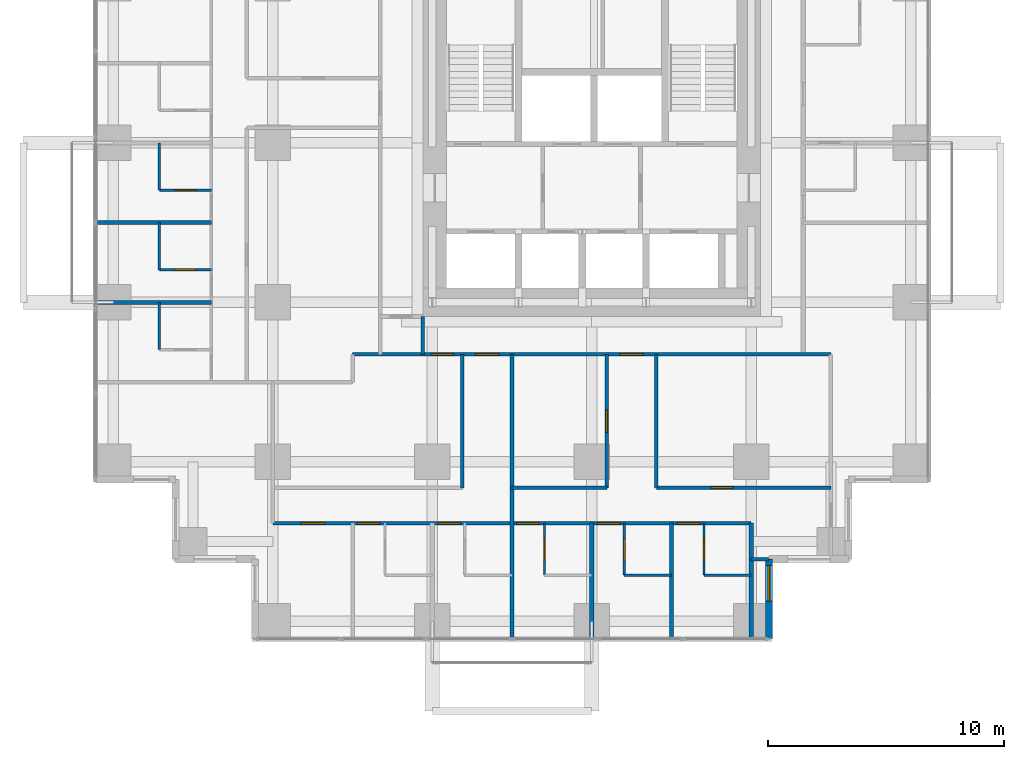
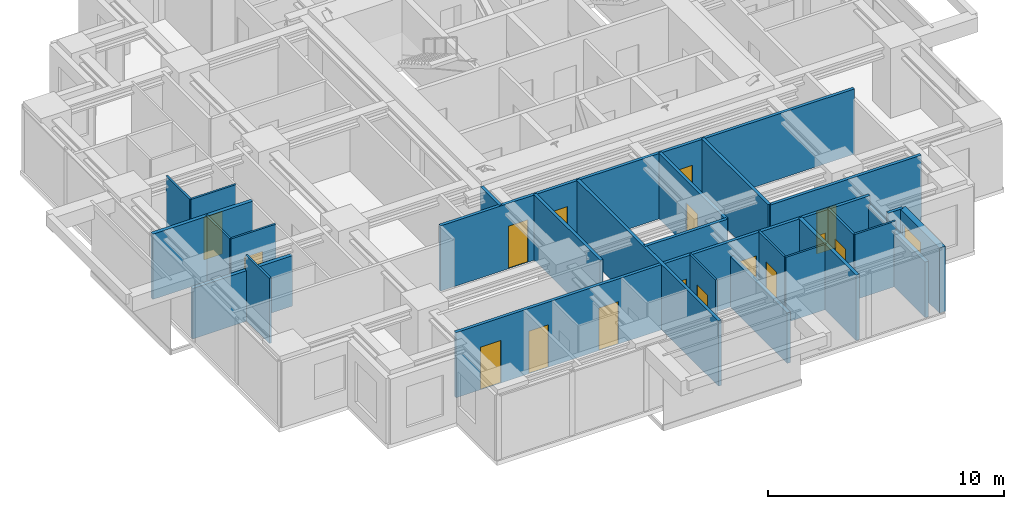
# One storey, part 6 of 11: 26 walls, 16 doors, 1 window, 17 openings.
"""IFC4 building model written with IfcOpenShell, lengths in metres."""

from ifc_helpers import new_model, si_unit, direction, frame, frame_2d, origin, place, context, subcontext, project, spatial, rectangle, extrude, material, layer, layer_set, type_object, element, fill, save


model = new_model("IFC4")

# Units and contexts
model_context = context("Model", 3, precision=1e-05, world=origin(), true_north=direction((0.0, 1.0)))
body_context = subcontext(model_context, "Body", "Model", "MODEL_VIEW")
ifc_project = project(units=[si_unit("LENGTHUNIT", "METRE"), si_unit("AREAUNIT", "SQUARE_METRE"), si_unit("VOLUMEUNIT", "CUBIC_METRE"), si_unit("PLANEANGLEUNIT", "RADIAN"), si_unit("MASSUNIT", "GRAM", prefix="KILO")], contexts=[model_context])

# Site, building, storey
site_placement = place(None, origin())
site = spatial("IfcSite", under=ifc_project, at=site_placement, CompositionType="ELEMENT")
building_placement = place(site_placement, origin())
building = spatial("IfcBuilding", under=site, at=building_placement, Name="Nyansa Garden Tower", CompositionType="ELEMENT")
storey_placement = place(building_placement, frame((0.0, 0.0, 160.199951171875)))
storey = spatial("IfcBuildingStorey", under=building, at=storey_placement, Name="L43", CompositionType="ELEMENT", Elevation=160.199951171875)

# Walls
ifc_material_1 = material(Name="Dense blockwork, plastered both sides, 55 dB", Category="masonry")
ifc_layer_1 = layer(ifc_material_1, 0.175048828125)
ifc_layer_set_1 = layer_set([ifc_layer_1], Name="Acoustic party wall PW175")
wall_type_1 = type_object("IfcWallType", Name="Acoustic party wall PW175", PredefinedType="PARTITIONING", material=ifc_layer_set_1)
wall_1_placement = place(storey_placement, frame((-0.73388671875, 13.5, 0.0), z_axis=(0.0, 0.0, 1.0), x_axis=(1.0, 0.0, 0.0)))
element("IfcWall", 1, at=wall_1_placement, inside=storey, type_object=wall_type_1, Name="Party wall", PredefinedType="PARTITIONING", context=body_context, shape_type="SweptSolid", body=[
    extrude(rectangle(XDim=4.8837890625, YDim=0.175048828125, at=frame_2d((2.44189453125, 0.0))), origin(), (0.0, 0.0, 1.0), 2.610107421875),
])
wall_2_placement = place(storey_placement, frame((-0.73388671875, 16.875, 0.0), z_axis=(0.0, 0.0, 1.0), x_axis=(1.0, 0.0, 0.0)))
element("IfcWall", 2, at=wall_2_placement, inside=storey, type_object=wall_type_1, Name="Party wall", PredefinedType="PARTITIONING", context=body_context, shape_type="SweptSolid", body=[
    extrude(rectangle(XDim=4.8837890625, YDim=0.175048828125, at=frame_2d((2.44189453125, 0.0))), origin(), (0.0, 0.0, 1.0), 3.375),
])
wall_3_placement = place(storey_placement, frame((20.25, -0.73388671875, 0.0), z_axis=(0.0, 0.0, 1.0), x_axis=(0.0, 1.0, 0.0)))
element("IfcWall", 3, at=wall_3_placement, inside=storey, type_object=wall_type_1, Name="Party wall", PredefinedType="PARTITIONING", context=body_context, shape_type="SweptSolid", body=[
    extrude(rectangle(XDim=4.8837890625, YDim=0.175048828125, at=frame_2d((2.44189453125, 0.0))), origin(), (0.0, 0.0, 1.0), 2.610107421875),
])
wall_4_placement = place(storey_placement, frame((23.625, -0.73388671875, 0.0), z_axis=(0.0, 0.0, 1.0), x_axis=(0.0, 1.0, 0.0)))
element("IfcWall", 4, at=wall_4_placement, inside=storey, type_object=wall_type_1, Name="Party wall", PredefinedType="PARTITIONING", context=body_context, shape_type="SweptSolid", body=[
    extrude(rectangle(XDim=4.8837890625, YDim=0.175048828125, at=frame_2d((2.44189453125, 0.0))), origin(), (0.0, 0.0, 1.0), 3.375),
])
wall_5_placement = place(storey_placement, frame((27.0, -0.73388671875, 0.0), z_axis=(0.0, 0.0, 1.0), x_axis=(0.0, 1.0, 0.0)))
element("IfcWall", 5, at=wall_5_placement, inside=storey, type_object=wall_type_1, Name="Party wall", PredefinedType="PARTITIONING", context=body_context, shape_type="SweptSolid", body=[
    extrude(rectangle(XDim=4.8837890625, YDim=0.175048828125, at=frame_2d((2.44189453125, 0.0))), origin(), (0.0, 0.0, 1.0), 2.876953125),
])

# Wall, openings, doors
ifc_material_2 = material(Name="Blockwork, plastered both sides", Category="masonry")
ifc_layer_2 = layer(ifc_material_2, 0.14990234375)
ifc_layer_set_2 = layer_set([ifc_layer_2], Name="Partition PW150")
wall_type_2 = type_object("IfcWallType", Name="Partition PW150", PredefinedType="PARTITIONING", material=ifc_layer_set_2)
wall_6_placement = place(storey_placement, frame((6.75, 4.14990234375, 0.0), z_axis=(0.0, 0.0, 1.0), x_axis=(1.0, 0.0, 0.0)))
wall_6 = element("IfcWall", 6, at=wall_6_placement, inside=storey, type_object=wall_type_2, Name="Partition", PredefinedType="PARTITIONING", context=body_context, shape_type="SweptSolid", body=[
    extrude(rectangle(XDim=20.25, YDim=0.14990234375, at=frame_2d((10.125, 0.0))), origin(), (0.0, 0.0, 1.0), 3.375),
])
opening_1_placement = place(wall_6_placement, frame((1.199951171875, 0.0, 0.0)))
opening_1 = element("IfcOpeningElement", 7, at=opening_1_placement, cuts=wall_6, Name="Opening D03", PredefinedType="OPENING", context=body_context, shape_type="SweptSolid", body=[
    extrude(rectangle(XDim=1.0, YDim=2.199951171875, at=frame_2d((0.5, 1.10009765625))), frame((0.0, 0.0849609375, 0.0), z_axis=(0.0, -1.0, 0.0), x_axis=(1.0, 0.0, 0.0)), (0.0, 0.0, 1.0), 0.169921875),
])
opening_2_placement = place(wall_6_placement, frame((3.574951171875, 0.0, 0.0)))
opening_2 = element("IfcOpeningElement", 8, at=opening_2_placement, cuts=wall_6, Name="Opening D01", PredefinedType="OPENING", context=body_context, shape_type="SweptSolid", body=[
    extrude(rectangle(XDim=0.949951171875, YDim=2.199951171875, at=frame_2d((0.47509765625, 1.10009765625))), frame((0.0, 0.0849609375, 0.0), z_axis=(0.0, -1.0, 0.0), x_axis=(1.0, 0.0, 0.0)), (0.0, 0.0, 1.0), 0.169921875),
])
opening_3_placement = place(wall_6_placement, frame((7.0, 0.0, 0.0)))
opening_3 = element("IfcOpeningElement", 9, at=opening_3_placement, cuts=wall_6, Name="Opening D01", PredefinedType="OPENING", context=body_context, shape_type="SweptSolid", body=[
    extrude(rectangle(XDim=0.949951171875, YDim=2.199951171875, at=frame_2d((0.47509765625, 1.10009765625))), frame((0.0, 0.0849609375, 0.0), z_axis=(0.0, -1.0, 0.0), x_axis=(1.0, 0.0, 0.0)), (0.0, 0.0, 1.0), 0.169921875),
])
opening_4_placement = place(wall_6_placement, frame((10.324951171875, 0.0, 0.0)))
opening_4 = element("IfcOpeningElement", 10, at=opening_4_placement, cuts=wall_6, Name="Opening D14", PredefinedType="OPENING", context=body_context, shape_type="SweptSolid", body=[
    extrude(rectangle(XDim=0.949951171875, YDim=2.199951171875, at=frame_2d((0.47509765625, 1.10009765625))), frame((0.0, 0.0849609375, 0.0), z_axis=(0.0, -1.0, 0.0), x_axis=(1.0, 0.0, 0.0)), (0.0, 0.0, 1.0), 0.169921875),
])
opening_5_placement = place(wall_6_placement, frame((13.75, 0.0, 0.0)))
opening_5 = element("IfcOpeningElement", 11, at=opening_5_placement, cuts=wall_6, Name="Opening D14", PredefinedType="OPENING", context=body_context, shape_type="SweptSolid", body=[
    extrude(rectangle(XDim=0.949951171875, YDim=2.199951171875, at=frame_2d((0.47509765625, 1.10009765625))), frame((0.0, 0.0849609375, 0.0), z_axis=(0.0, -1.0, 0.0), x_axis=(1.0, 0.0, 0.0)), (0.0, 0.0, 1.0), 0.169921875),
])
opening_6_placement = place(wall_6_placement, frame((17.125, 0.0, 0.0)))
opening_6 = element("IfcOpeningElement", 12, at=opening_6_placement, cuts=wall_6, Name="Opening D14", PredefinedType="OPENING", context=body_context, shape_type="SweptSolid", body=[
    extrude(rectangle(XDim=0.949951171875, YDim=2.199951171875, at=frame_2d((0.47509765625, 1.10009765625))), frame((0.0, 0.0849609375, 0.0), z_axis=(0.0, -1.0, 0.0), x_axis=(1.0, 0.0, 0.0)), (0.0, 0.0, 1.0), 0.169921875),
])
ifc_material_3 = material(Name="Timber flush door, 30 minute fire resisting", Category="wood")
door_type_1 = type_object("IfcDoorType", Name="Bedroom door D01 950x2200", OperationType="SINGLE_SWING_LEFT", PredefinedType="DOOR", material=ifc_material_3)
door_1_placement = place(opening_2_placement, origin())
door_1 = element("IfcDoor", 13, at=door_1_placement, inside=storey, type_object=door_type_1, Name="Door L43-018", OperationType="SINGLE_SWING_LEFT", OverallHeight=2.199951171875, OverallWidth=0.949951171875, PredefinedType="DOOR", context=body_context, shape_type="SweptSolid", body=[
    extrude(rectangle(XDim=0.949951171875, YDim=2.199951171875, at=frame_2d((0.47509765625, 1.10009765625))), frame((0.0, 0.02490234375, 0.0), z_axis=(0.0, -1.0, 0.0), x_axis=(1.0, 0.0, 0.0)), (0.0, 0.0, 1.0), 0.050048828125),
])
fill(opening_2, door_1)
door_2_placement = place(opening_3_placement, origin())
door_2 = element("IfcDoor", 14, at=door_2_placement, inside=storey, type_object=door_type_1, Name="Door L43-020", OperationType="SINGLE_SWING_LEFT", OverallHeight=2.199951171875, OverallWidth=0.949951171875, PredefinedType="DOOR", context=body_context, shape_type="SweptSolid", body=[
    extrude(rectangle(XDim=0.949951171875, YDim=2.199951171875, at=frame_2d((0.47509765625, 1.10009765625))), frame((0.0, 0.02490234375, 0.0), z_axis=(0.0, -1.0, 0.0), x_axis=(1.0, 0.0, 0.0)), (0.0, 0.0, 1.0), 0.050048828125),
])
fill(opening_3, door_2)
ifc_material_4 = material(Name="Timber flush door, 60 minute fire resisting", Category="wood")
door_type_2 = type_object("IfcDoorType", Name="Cluster entrance door D03 1000x2200", OperationType="SINGLE_SWING_LEFT", PredefinedType="DOOR", material=ifc_material_4)
door_3_placement = place(opening_1_placement, origin())
door_3 = element("IfcDoor", 15, at=door_3_placement, inside=storey, type_object=door_type_2, Name="Door L43-017", OperationType="SINGLE_SWING_LEFT", OverallHeight=2.199951171875, OverallWidth=1.0, PredefinedType="DOOR", context=body_context, shape_type="SweptSolid", body=[
    extrude(rectangle(XDim=1.0, YDim=2.199951171875, at=frame_2d((0.5, 1.10009765625))), frame((0.0, 0.02490234375, 0.0), z_axis=(0.0, -1.0, 0.0), x_axis=(1.0, 0.0, 0.0)), (0.0, 0.0, 1.0), 0.050048828125),
])
fill(opening_1, door_3)
ifc_material_5 = material(Name="Timber flush door, 60 minute fire resisting, self-closing", Category="wood")
door_type_3 = type_object("IfcDoorType", Name="Studio entrance door D14 950x2200", OperationType="SINGLE_SWING_LEFT", PredefinedType="DOOR", material=ifc_material_5)
door_4_placement = place(opening_4_placement, origin())
door_4 = element("IfcDoor", 16, at=door_4_placement, inside=storey, type_object=door_type_3, Name="Door L43-023", OperationType="SINGLE_SWING_LEFT", OverallHeight=2.199951171875, OverallWidth=0.949951171875, PredefinedType="DOOR", context=body_context, shape_type="SweptSolid", body=[
    extrude(rectangle(XDim=0.949951171875, YDim=2.199951171875, at=frame_2d((0.47509765625, 1.10009765625))), frame((0.0, 0.02490234375, 0.0), z_axis=(0.0, -1.0, 0.0), x_axis=(1.0, 0.0, 0.0)), (0.0, 0.0, 1.0), 0.050048828125),
])
fill(opening_4, door_4)
door_5_placement = place(opening_5_placement, origin())
door_5 = element("IfcDoor", 17, at=door_5_placement, inside=storey, type_object=door_type_3, Name="Door L43-025", OperationType="SINGLE_SWING_LEFT", OverallHeight=2.199951171875, OverallWidth=0.949951171875, PredefinedType="DOOR", context=body_context, shape_type="SweptSolid", body=[
    extrude(rectangle(XDim=0.949951171875, YDim=2.199951171875, at=frame_2d((0.47509765625, 1.10009765625))), frame((0.0, 0.02490234375, 0.0), z_axis=(0.0, -1.0, 0.0), x_axis=(1.0, 0.0, 0.0)), (0.0, 0.0, 1.0), 0.050048828125),
])
fill(opening_5, door_5)
door_6_placement = place(opening_6_placement, origin())
door_6 = element("IfcDoor", 18, at=door_6_placement, inside=storey, type_object=door_type_3, Name="Door L43-027", OperationType="SINGLE_SWING_LEFT", OverallHeight=2.199951171875, OverallWidth=0.949951171875, PredefinedType="DOOR", context=body_context, shape_type="SweptSolid", body=[
    extrude(rectangle(XDim=0.949951171875, YDim=2.199951171875, at=frame_2d((0.47509765625, 1.10009765625))), frame((0.0, 0.02490234375, 0.0), z_axis=(0.0, -1.0, 0.0), x_axis=(1.0, 0.0, 0.0)), (0.0, 0.0, 1.0), 0.050048828125),
])
fill(opening_6, door_6)

wall_7_placement = place(storey_placement, frame((10.125, 11.300048828125, 0.0), z_axis=(0.0, 0.0, 1.0), x_axis=(1.0, 0.0, 0.0)))
wall_7 = element("IfcWall", 19, at=wall_7_placement, inside=storey, type_object=wall_type_2, Name="Partition", PredefinedType="PARTITIONING", context=body_context, shape_type="SweptSolid", body=[
    extrude(rectangle(XDim=20.25, YDim=0.14990234375, at=frame_2d((10.125, 0.0))), origin(), (0.0, 0.0, 1.0), 3.375),
])
opening_7_placement = place(wall_7_placement, frame((5.199951171875, 0.0, 0.0)))
opening_7 = element("IfcOpeningElement", 20, at=opening_7_placement, cuts=wall_7, Name="Opening D03", PredefinedType="OPENING", context=body_context, shape_type="SweptSolid", body=[
    extrude(rectangle(XDim=1.0, YDim=2.199951171875, at=frame_2d((0.5, 1.10009765625))), frame((0.0, 0.0849609375, 0.0), z_axis=(0.0, -1.0, 0.0), x_axis=(1.0, 0.0, 0.0)), (0.0, 0.0, 1.0), 0.169921875),
])
opening_8_placement = place(wall_7_placement, frame((11.3125, 0.0, 0.0)))
opening_8 = element("IfcOpeningElement", 21, at=opening_8_placement, cuts=wall_7, Name="Opening D03", PredefinedType="OPENING", context=body_context, shape_type="SweptSolid", body=[
    extrude(rectangle(XDim=1.0, YDim=2.199951171875, at=frame_2d((0.5, 1.10009765625))), frame((0.0, 0.0849609375, 0.0), z_axis=(0.0, -1.0, 0.0), x_axis=(1.0, 0.0, 0.0)), (0.0, 0.0, 1.0), 0.169921875),
])
opening_9_placement = place(wall_7_placement, frame((3.324951171875, 0.0, 0.0)))
opening_9 = element("IfcOpeningElement", 22, at=opening_9_placement, cuts=wall_7, Name="Opening D01", PredefinedType="OPENING", context=body_context, shape_type="SweptSolid", body=[
    extrude(rectangle(XDim=0.949951171875, YDim=2.199951171875, at=frame_2d((0.47509765625, 1.10009765625))), frame((0.0, 0.0849609375, 0.0), z_axis=(0.0, -1.0, 0.0), x_axis=(1.0, 0.0, 0.0)), (0.0, 0.0, 1.0), 0.169921875),
])
door_7_placement = place(opening_9_placement, origin())
door_7 = element("IfcDoor", 23, at=door_7_placement, inside=storey, type_object=door_type_1, Name="Door L43-030", OperationType="SINGLE_SWING_LEFT", OverallHeight=2.199951171875, OverallWidth=0.949951171875, PredefinedType="DOOR", context=body_context, shape_type="SweptSolid", body=[
    extrude(rectangle(XDim=0.949951171875, YDim=2.199951171875, at=frame_2d((0.47509765625, 1.10009765625))), frame((0.0, 0.02490234375, 0.0), z_axis=(0.0, -1.0, 0.0), x_axis=(1.0, 0.0, 0.0)), (0.0, 0.0, 1.0), 0.050048828125),
])
fill(opening_9, door_7)
door_8_placement = place(opening_7_placement, origin())
door_8 = element("IfcDoor", 24, at=door_8_placement, inside=storey, type_object=door_type_2, Name="Door L43-022", OperationType="SINGLE_SWING_LEFT", OverallHeight=2.199951171875, OverallWidth=1.0, PredefinedType="DOOR", context=body_context, shape_type="SweptSolid", body=[
    extrude(rectangle(XDim=1.0, YDim=2.199951171875, at=frame_2d((0.5, 1.10009765625))), frame((0.0, 0.02490234375, 0.0), z_axis=(0.0, -1.0, 0.0), x_axis=(1.0, 0.0, 0.0)), (0.0, 0.0, 1.0), 0.050048828125),
])
fill(opening_7, door_8)
door_9_placement = place(opening_8_placement, origin())
door_9 = element("IfcDoor", 25, at=door_9_placement, inside=storey, type_object=door_type_2, Name="Door L43-029", OperationType="SINGLE_SWING_LEFT", OverallHeight=2.199951171875, OverallWidth=1.0, PredefinedType="DOOR", context=body_context, shape_type="SweptSolid", body=[
    extrude(rectangle(XDim=1.0, YDim=2.199951171875, at=frame_2d((0.5, 1.10009765625))), frame((0.0, 0.02490234375, 0.0), z_axis=(0.0, -1.0, 0.0), x_axis=(1.0, 0.0, 0.0)), (0.0, 0.0, 1.0), 0.050048828125),
])
fill(opening_8, door_9)

# Walls
wall_8_placement = place(storey_placement, frame((13.10009765625, 11.300048828125, 0.0), z_axis=(0.0, 0.0, 1.0), x_axis=(0.0, 1.0, 0.0)))
element("IfcWall", 26, at=wall_8_placement, inside=storey, type_object=wall_type_2, Name="Partition", PredefinedType="PARTITIONING", context=body_context, shape_type="SweptSolid", body=[
    extrude(rectangle(XDim=1.599853515625, YDim=0.14990234375, at=frame_2d((0.7998046875, 0.0))), origin(), (0.0, 0.0, 1.0), 3.375),
])
wall_9_placement = place(storey_placement, frame((14.77490234375, 5.64990234375, 0.0), z_axis=(0.0, 0.0, 1.0), x_axis=(0.0, 1.0, 0.0)))
element("IfcWall", 27, at=wall_9_placement, inside=storey, type_object=wall_type_2, Name="Partition", PredefinedType="PARTITIONING", context=body_context, shape_type="SweptSolid", body=[
    extrude(rectangle(XDim=5.650146484375, YDim=0.14990234375, at=frame_2d((2.8251953125, 0.0))), origin(), (0.0, 0.0, 1.0), 3.375),
])
wall_10_placement = place(storey_placement, frame((16.875, -0.73388671875, 0.0), z_axis=(0.0, 0.0, 1.0), x_axis=(0.0, 1.0, 0.0)))
element("IfcWall", 28, at=wall_10_placement, inside=storey, type_object=wall_type_2, Name="Partition", PredefinedType="PARTITIONING", context=body_context, shape_type="SweptSolid", body=[
    extrude(rectangle(XDim=12.033935546875, YDim=0.14990234375, at=frame_2d((6.01708984375, 0.0))), origin(), (0.0, 0.0, 1.0), 3.375),
])
wall_11_placement = place(storey_placement, frame((16.875, 5.64990234375, 0.0), z_axis=(0.0, 0.0, 1.0), x_axis=(1.0, 0.0, 0.0)))
element("IfcWall", 29, at=wall_11_placement, inside=storey, type_object=wall_type_2, Name="Partition", PredefinedType="PARTITIONING", context=body_context, shape_type="SweptSolid", body=[
    extrude(rectangle(XDim=4.012451171875, YDim=0.14990234375, at=frame_2d((2.00634765625, 0.0))), origin(), (0.0, 0.0, 1.0), 3.375),
])

# Wall, opening, door
wall_12_placement = place(storey_placement, frame((20.886962890625, 5.64990234375, 0.0), z_axis=(0.0, 0.0, 1.0), x_axis=(0.0, 1.0, 0.0)))
wall_12 = element("IfcWall", 30, at=wall_12_placement, inside=storey, type_object=wall_type_2, Name="Partition", PredefinedType="PARTITIONING", context=body_context, shape_type="SweptSolid", body=[
    extrude(rectangle(XDim=5.650146484375, YDim=0.14990234375, at=frame_2d((2.8251953125, 0.0))), origin(), (0.0, 0.0, 1.0), 3.375),
])
opening_10_placement = place(wall_12_placement, frame((2.35009765625, 0.0, 0.0)))
opening_10 = element("IfcOpeningElement", 31, at=opening_10_placement, cuts=wall_12, Name="Opening D01", PredefinedType="OPENING", context=body_context, shape_type="SweptSolid", body=[
    extrude(rectangle(XDim=0.949951171875, YDim=2.199951171875, at=frame_2d((0.47509765625, 1.10009765625))), frame((0.0, 0.0849609375, 0.0), z_axis=(0.0, -1.0, 0.0), x_axis=(1.0, 0.0, 0.0)), (0.0, 0.0, 1.0), 0.169921875),
])
door_10_placement = place(opening_10_placement, origin())
door_10 = element("IfcDoor", 32, at=door_10_placement, inside=storey, type_object=door_type_1, Name="Door L43-031", OperationType="SINGLE_SWING_LEFT", OverallHeight=2.199951171875, OverallWidth=0.949951171875, PredefinedType="DOOR", context=body_context, shape_type="SweptSolid", body=[
    extrude(rectangle(XDim=0.949951171875, YDim=2.199951171875, at=frame_2d((0.47509765625, 1.10009765625))), frame((0.0, 0.02490234375, 0.0), z_axis=(0.0, -1.0, 0.0), x_axis=(1.0, 0.0, 0.0)), (0.0, 0.0, 1.0), 0.050048828125),
])
fill(opening_10, door_10)

wall_13_placement = place(storey_placement, frame((22.987548828125, 5.64990234375, 0.0), z_axis=(0.0, 0.0, 1.0), x_axis=(1.0, 0.0, 0.0)))
wall_13 = element("IfcWall", 33, at=wall_13_placement, inside=storey, type_object=wall_type_2, Name="Partition", PredefinedType="PARTITIONING", context=body_context, shape_type="SweptSolid", body=[
    extrude(rectangle(XDim=7.387451171875, YDim=0.14990234375, at=frame_2d((3.69384765625, 0.0))), origin(), (0.0, 0.0, 1.0), 3.375),
])
opening_11_placement = place(wall_13_placement, frame((2.300048828125, 0.0, 0.0)))
opening_11 = element("IfcOpeningElement", 34, at=opening_11_placement, cuts=wall_13, Name="Opening D01", PredefinedType="OPENING", context=body_context, shape_type="SweptSolid", body=[
    extrude(rectangle(XDim=0.949951171875, YDim=2.199951171875, at=frame_2d((0.47509765625, 1.10009765625))), frame((0.0, 0.0849609375, 0.0), z_axis=(0.0, -1.0, 0.0), x_axis=(1.0, 0.0, 0.0)), (0.0, 0.0, 1.0), 0.169921875),
])
door_11_placement = place(opening_11_placement, origin())
door_11 = element("IfcDoor", 35, at=door_11_placement, inside=storey, type_object=door_type_1, Name="Door L43-032", OperationType="SINGLE_SWING_LEFT", OverallHeight=2.199951171875, OverallWidth=0.949951171875, PredefinedType="DOOR", context=body_context, shape_type="SweptSolid", body=[
    extrude(rectangle(XDim=0.949951171875, YDim=2.199951171875, at=frame_2d((0.47509765625, 1.10009765625))), frame((0.0, 0.02490234375, 0.0), z_axis=(0.0, -1.0, 0.0), x_axis=(1.0, 0.0, 0.0)), (0.0, 0.0, 1.0), 0.050048828125),
])
fill(opening_11, door_11)

# Walls
wall_14_placement = place(storey_placement, frame((22.988037109375, 5.64990234375, 0.0), z_axis=(0.0, 0.0, 1.0), x_axis=(0.0, 1.0, 0.0)))
element("IfcWall", 36, at=wall_14_placement, inside=storey, type_object=wall_type_2, Name="Partition", PredefinedType="PARTITIONING", context=body_context, shape_type="SweptSolid", body=[
    extrude(rectangle(XDim=5.650146484375, YDim=0.14990234375, at=frame_2d((2.8251953125, 0.0))), origin(), (0.0, 0.0, 1.0), 3.375),
])
wall_15_placement = place(storey_placement, frame((27.0, 2.625, 0.0), z_axis=(0.0, 0.0, 1.0), x_axis=(1.0, 0.0, 0.0)))
element("IfcWall", 37, at=wall_15_placement, inside=storey, type_object=wall_type_2, Name="Partition", PredefinedType="PARTITIONING", context=body_context, shape_type="SweptSolid", body=[
    extrude(rectangle(XDim=0.73388671875, YDim=0.14990234375, at=frame_2d((0.366943359375, 0.0))), origin(), (0.0, 0.0, 1.0), 3.375),
])

# Wall, opening, window
ifc_material_6 = material(Name="Turquoise glazed tile on concrete blockwork", Category="masonry")
ifc_layer_3 = layer(ifc_material_6, 0.300048828125)
ifc_layer_set_3 = layer_set([ifc_layer_3], Name="Tiled corner wall TW300")
wall_type_3 = type_object("IfcWallType", Name="Tiled corner wall TW300", PredefinedType="SOLIDWALL", material=ifc_layer_set_3)
wall_16_placement = place(storey_placement, frame((27.75, -0.75, 0.0), z_axis=(0.0, 0.0, 1.0), x_axis=(0.0, 1.0, 0.0)))
wall_16 = element("IfcWall", 38, at=wall_16_placement, inside=storey, type_object=wall_type_3, Name="Tiled corner wall L43", PredefinedType="SOLIDWALL", context=body_context, shape_type="SweptSolid", body=[
    extrude(rectangle(XDim=3.375, YDim=0.300048828125, at=frame_2d((1.6875, 0.0))), origin(), (0.0, 0.0, 1.0), 3.375),
])
opening_12_placement = place(wall_16_placement, frame((1.607421875, 0.0, 0.89990234375)))
opening_12 = element("IfcOpeningElement", 39, at=opening_12_placement, cuts=wall_16, Name="Opening W1", PredefinedType="OPENING", context=body_context, shape_type="SweptSolid", body=[
    extrude(rectangle(XDim=1.5, YDim=1.800048828125, at=frame_2d((0.75, 0.89990234375))), frame((0.0, 0.159912109375, 0.0), z_axis=(0.0, -1.0, 0.0), x_axis=(1.0, 0.0, 0.0)), (0.0, 0.0, 1.0), 0.320068359375),
])
ifc_material_7 = material(Name="Black aluminium frame, dark tinted double glazing", Category="aluminium")
window_type = type_object("IfcWindowType", Name="Window W1 1500x1800", PartitioningType="SINGLE_PANEL", PredefinedType="WINDOW", material=ifc_material_7)
window_placement = place(opening_12_placement, origin())
window = element("IfcWindow", 40, at=window_placement, inside=storey, type_object=window_type, Name="Corner window L43", OverallHeight=1.800048828125, OverallWidth=1.5, PartitioningType="SINGLE_PANEL", PredefinedType="WINDOW", context=body_context, shape_type="SweptSolid", body=[
    extrude(rectangle(XDim=1.5, YDim=1.800048828125, at=frame_2d((0.75, 0.89990234375))), frame((0.0, 0.030029296875, 0.0), z_axis=(0.0, -1.0, 0.0), x_axis=(1.0, 0.0, 0.0)), (0.0, 0.0, 1.0), 0.06005859375),
])
fill(opening_12, window)

# Walls
ifc_material_8 = material(Name="Moisture resistant board on steel studs, tiled", Category="steel")
ifc_layer_4 = layer(ifc_material_8, 0.10009765625)
ifc_layer_set_4 = layer_set([ifc_layer_4], Name="Wet wall PW100")
wall_type_4 = type_object("IfcWallType", Name="Wet wall PW100", PredefinedType="PARTITIONING", material=ifc_layer_set_4)
for number, where, z_axis, x_axis, name in (
    (41, (1.949951171875, 11.5, 0.0), (0.0, 0.0, 1.0), (0.0, 1.0, 0.0), "Wet wall"),
    (42, (1.949951171875, 14.875, 0.0), (0.0, 0.0, 1.0), (0.0, 1.0, 0.0), "Wet wall"),
):
    element("IfcWall", number, at=place(storey_placement, frame(where, z_axis=z_axis, x_axis=x_axis)), inside=storey, type_object=wall_type_4, Name=name, PredefinedType="PARTITIONING", context=body_context, shape_type="SweptSolid", body=[
        extrude(rectangle(XDim=2.0, YDim=0.10009765625, at=frame_2d((1.0, 0.0))), origin(), (0.0, 0.0, 1.0), 3.375),
    ])

# Wall, opening, door
wall_17_placement = place(storey_placement, frame((1.949951171875, 14.875, 0.0), z_axis=(0.0, 0.0, 1.0), x_axis=(1.0, 0.0, 0.0)))
wall_17 = element("IfcWall", 43, at=wall_17_placement, inside=storey, type_object=wall_type_4, Name="Wet wall", PredefinedType="PARTITIONING", context=body_context, shape_type="SweptSolid", body=[
    extrude(rectangle(XDim=2.199951171875, YDim=0.10009765625, at=frame_2d((1.10009765625, 0.0))), origin(), (0.0, 0.0, 1.0), 3.375),
])
opening_13_placement = place(wall_17_placement, frame((0.64990234375, 0.0, 0.0)))
opening_13 = element("IfcOpeningElement", 44, at=opening_13_placement, cuts=wall_17, Name="Opening D02", PredefinedType="OPENING", context=body_context, shape_type="SweptSolid", body=[
    extrude(rectangle(XDim=0.89990234375, YDim=2.199951171875, at=frame_2d((0.449951171875, 1.10009765625))), frame((0.0, 0.06005859375, 0.0), z_axis=(0.0, -1.0, 0.0), x_axis=(1.0, 0.0, 0.0)), (0.0, 0.0, 1.0), 0.1201171875),
])
ifc_material_9 = material(Name="Timber flush door", Category="wood")
door_type_4 = type_object("IfcDoorType", Name="En-suite door D02 900x2200", OperationType="SINGLE_SWING_RIGHT", PredefinedType="DOOR", material=ifc_material_9)
door_12_placement = place(opening_13_placement, origin())
door_12 = element("IfcDoor", 45, at=door_12_placement, inside=storey, type_object=door_type_4, Name="Door L43-053", OperationType="SINGLE_SWING_RIGHT", OverallHeight=2.199951171875, OverallWidth=0.89990234375, PredefinedType="DOOR", context=body_context, shape_type="SweptSolid", body=[
    extrude(rectangle(XDim=0.89990234375, YDim=2.199951171875, at=frame_2d((0.449951171875, 1.10009765625))), frame((0.0, 0.02490234375, 0.0), z_axis=(0.0, -1.0, 0.0), x_axis=(1.0, 0.0, 0.0)), (0.0, 0.0, 1.0), 0.050048828125),
])
fill(opening_13, door_12)

# Wall
wall_18_placement = place(storey_placement, frame((1.949951171875, 18.25, 0.0), z_axis=(0.0, 0.0, 1.0), x_axis=(0.0, 1.0, 0.0)))
element("IfcWall", 46, at=wall_18_placement, inside=storey, type_object=wall_type_4, Name="Wet wall", PredefinedType="PARTITIONING", context=body_context, shape_type="SweptSolid", body=[
    extrude(rectangle(XDim=2.0, YDim=0.10009765625, at=frame_2d((1.0, 0.0))), origin(), (0.0, 0.0, 1.0), 3.375),
])

# Wall, opening, door
wall_19_placement = place(storey_placement, frame((1.949951171875, 18.25, 0.0), z_axis=(0.0, 0.0, 1.0), x_axis=(1.0, 0.0, 0.0)))
wall_19 = element("IfcWall", 47, at=wall_19_placement, inside=storey, type_object=wall_type_4, Name="Wet wall", PredefinedType="PARTITIONING", context=body_context, shape_type="SweptSolid", body=[
    extrude(rectangle(XDim=2.199951171875, YDim=0.10009765625, at=frame_2d((1.10009765625, 0.0))), origin(), (0.0, 0.0, 1.0), 3.375),
])
opening_14_placement = place(wall_19_placement, frame((0.64990234375, 0.0, 0.0)))
opening_14 = element("IfcOpeningElement", 48, at=opening_14_placement, cuts=wall_19, Name="Opening D02", PredefinedType="OPENING", context=body_context, shape_type="SweptSolid", body=[
    extrude(rectangle(XDim=0.89990234375, YDim=2.199951171875, at=frame_2d((0.449951171875, 1.10009765625))), frame((0.0, 0.06005859375, 0.0), z_axis=(0.0, -1.0, 0.0), x_axis=(1.0, 0.0, 0.0)), (0.0, 0.0, 1.0), 0.1201171875),
])
door_13_placement = place(opening_14_placement, origin())
door_13 = element("IfcDoor", 49, at=door_13_placement, inside=storey, type_object=door_type_4, Name="Door L43-055", OperationType="SINGLE_SWING_RIGHT", OverallHeight=2.199951171875, OverallWidth=0.89990234375, PredefinedType="DOOR", context=body_context, shape_type="SweptSolid", body=[
    extrude(rectangle(XDim=0.89990234375, YDim=2.199951171875, at=frame_2d((0.449951171875, 1.10009765625))), frame((0.0, 0.02490234375, 0.0), z_axis=(0.0, -1.0, 0.0), x_axis=(1.0, 0.0, 0.0)), (0.0, 0.0, 1.0), 0.050048828125),
])
fill(opening_14, door_13)

wall_20_placement = place(storey_placement, frame((18.25, 1.949951171875, 0.0), z_axis=(0.0, 0.0, 1.0), x_axis=(0.0, 1.0, 0.0)))
wall_20 = element("IfcWall", 50, at=wall_20_placement, inside=storey, type_object=wall_type_4, Name="Wet wall", PredefinedType="PARTITIONING", context=body_context, shape_type="SweptSolid", body=[
    extrude(rectangle(XDim=2.199951171875, YDim=0.10009765625, at=frame_2d((1.10009765625, 0.0))), origin(), (0.0, 0.0, 1.0), 3.375),
])
opening_15_placement = place(wall_20_placement, frame((0.64990234375, 0.0, 0.0)))
opening_15 = element("IfcOpeningElement", 51, at=opening_15_placement, cuts=wall_20, Name="Opening D02", PredefinedType="OPENING", context=body_context, shape_type="SweptSolid", body=[
    extrude(rectangle(XDim=0.89990234375, YDim=2.199951171875, at=frame_2d((0.449951171875, 1.10009765625))), frame((0.0, 0.06005859375, 0.0), z_axis=(0.0, -1.0, 0.0), x_axis=(1.0, 0.0, 0.0)), (0.0, 0.0, 1.0), 0.1201171875),
])
door_14_placement = place(opening_15_placement, origin())
door_14 = element("IfcDoor", 52, at=door_14_placement, inside=storey, type_object=door_type_4, Name="Door L43-024", OperationType="SINGLE_SWING_RIGHT", OverallHeight=2.199951171875, OverallWidth=0.89990234375, PredefinedType="DOOR", context=body_context, shape_type="SweptSolid", body=[
    extrude(rectangle(XDim=0.89990234375, YDim=2.199951171875, at=frame_2d((0.449951171875, 1.10009765625))), frame((0.0, 0.02490234375, 0.0), z_axis=(0.0, -1.0, 0.0), x_axis=(1.0, 0.0, 0.0)), (0.0, 0.0, 1.0), 0.050048828125),
])
fill(opening_15, door_14)

wall_21_placement = place(storey_placement, frame((21.625, 1.949951171875, 0.0), z_axis=(0.0, 0.0, 1.0), x_axis=(0.0, 1.0, 0.0)))
wall_21 = element("IfcWall", 53, at=wall_21_placement, inside=storey, type_object=wall_type_4, Name="Wet wall", PredefinedType="PARTITIONING", context=body_context, shape_type="SweptSolid", body=[
    extrude(rectangle(XDim=2.199951171875, YDim=0.10009765625, at=frame_2d((1.10009765625, 0.0))), origin(), (0.0, 0.0, 1.0), 3.375),
])
opening_16_placement = place(wall_21_placement, frame((0.64990234375, 0.0, 0.0)))
opening_16 = element("IfcOpeningElement", 54, at=opening_16_placement, cuts=wall_21, Name="Opening D02", PredefinedType="OPENING", context=body_context, shape_type="SweptSolid", body=[
    extrude(rectangle(XDim=0.89990234375, YDim=2.199951171875, at=frame_2d((0.449951171875, 1.10009765625))), frame((0.0, 0.06005859375, 0.0), z_axis=(0.0, -1.0, 0.0), x_axis=(1.0, 0.0, 0.0)), (0.0, 0.0, 1.0), 0.1201171875),
])
door_15_placement = place(opening_16_placement, origin())
door_15 = element("IfcDoor", 55, at=door_15_placement, inside=storey, type_object=door_type_4, Name="Door L43-026", OperationType="SINGLE_SWING_RIGHT", OverallHeight=2.199951171875, OverallWidth=0.89990234375, PredefinedType="DOOR", context=body_context, shape_type="SweptSolid", body=[
    extrude(rectangle(XDim=0.89990234375, YDim=2.199951171875, at=frame_2d((0.449951171875, 1.10009765625))), frame((0.0, 0.02490234375, 0.0), z_axis=(0.0, -1.0, 0.0), x_axis=(1.0, 0.0, 0.0)), (0.0, 0.0, 1.0), 0.050048828125),
])
fill(opening_16, door_15)

# Wall
wall_22_placement = place(storey_placement, frame((21.625, 1.949951171875, 0.0), z_axis=(0.0, 0.0, 1.0), x_axis=(1.0, 0.0, 0.0)))
element("IfcWall", 56, at=wall_22_placement, inside=storey, type_object=wall_type_4, Name="Wet wall", PredefinedType="PARTITIONING", context=body_context, shape_type="SweptSolid", body=[
    extrude(rectangle(XDim=2.0, YDim=0.10009765625, at=frame_2d((1.0, 0.0))), origin(), (0.0, 0.0, 1.0), 3.375),
])

# Wall, opening, door
wall_23_placement = place(storey_placement, frame((25.0, 1.949951171875, 0.0), z_axis=(0.0, 0.0, 1.0), x_axis=(0.0, 1.0, 0.0)))
wall_23 = element("IfcWall", 57, at=wall_23_placement, inside=storey, type_object=wall_type_4, Name="Wet wall", PredefinedType="PARTITIONING", context=body_context, shape_type="SweptSolid", body=[
    extrude(rectangle(XDim=2.199951171875, YDim=0.10009765625, at=frame_2d((1.10009765625, 0.0))), origin(), (0.0, 0.0, 1.0), 3.375),
])
opening_17_placement = place(wall_23_placement, frame((0.64990234375, 0.0, 0.0)))
opening_17 = element("IfcOpeningElement", 58, at=opening_17_placement, cuts=wall_23, Name="Opening D02", PredefinedType="OPENING", context=body_context, shape_type="SweptSolid", body=[
    extrude(rectangle(XDim=0.89990234375, YDim=2.199951171875, at=frame_2d((0.449951171875, 1.10009765625))), frame((0.0, 0.06005859375, 0.0), z_axis=(0.0, -1.0, 0.0), x_axis=(1.0, 0.0, 0.0)), (0.0, 0.0, 1.0), 0.1201171875),
])
door_16_placement = place(opening_17_placement, origin())
door_16 = element("IfcDoor", 59, at=door_16_placement, inside=storey, type_object=door_type_4, Name="Door L43-028", OperationType="SINGLE_SWING_RIGHT", OverallHeight=2.199951171875, OverallWidth=0.89990234375, PredefinedType="DOOR", context=body_context, shape_type="SweptSolid", body=[
    extrude(rectangle(XDim=0.89990234375, YDim=2.199951171875, at=frame_2d((0.449951171875, 1.10009765625))), frame((0.0, 0.02490234375, 0.0), z_axis=(0.0, -1.0, 0.0), x_axis=(1.0, 0.0, 0.0)), (0.0, 0.0, 1.0), 0.050048828125),
])
fill(opening_17, door_16)

# Wall
wall_24_placement = place(storey_placement, frame((25.0, 1.949951171875, 0.0), z_axis=(0.0, 0.0, 1.0), x_axis=(1.0, 0.0, 0.0)))
element("IfcWall", 60, at=wall_24_placement, inside=storey, type_object=wall_type_4, Name="Wet wall", PredefinedType="PARTITIONING", context=body_context, shape_type="SweptSolid", body=[
    extrude(rectangle(XDim=2.0, YDim=0.10009765625, at=frame_2d((1.0, 0.0))), origin(), (0.0, 0.0, 1.0), 3.375),
])

save(model, "model.ifc")
